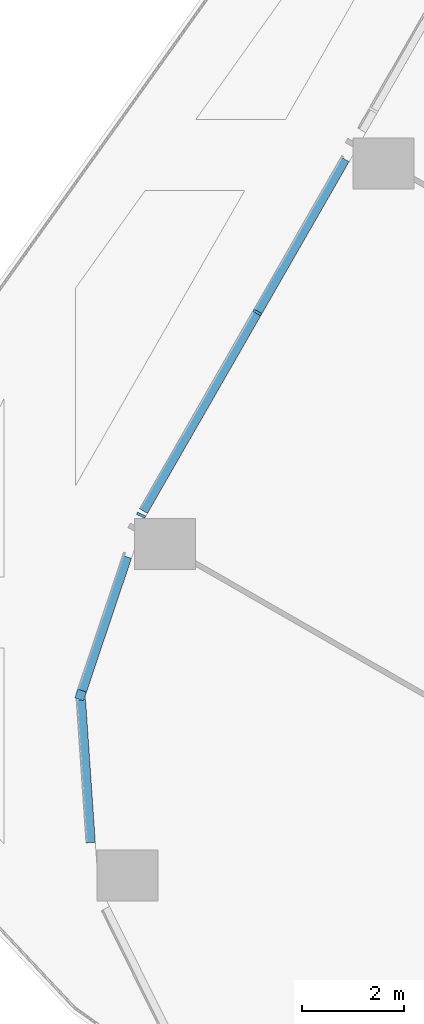
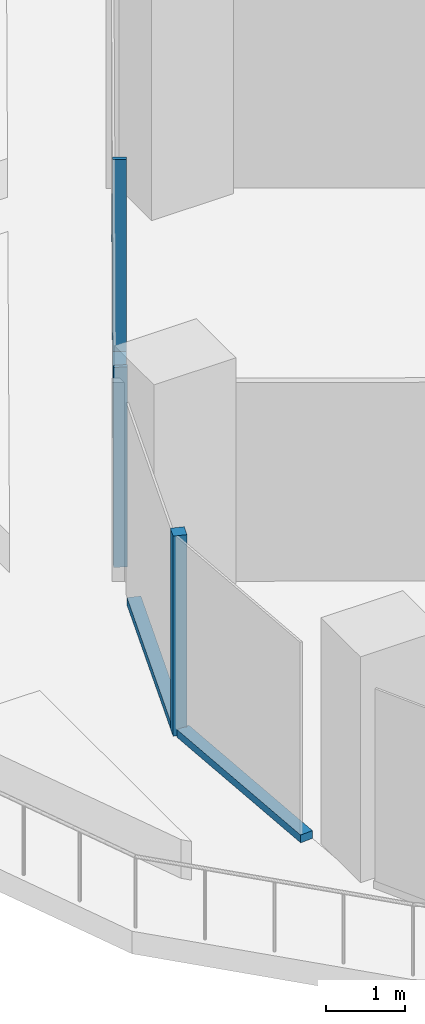
# One storey, part 3 of 34: 6 members, 3 elements without a shape of their own.
"""IFC4 building model written with IfcOpenShell, lengths in metres."""

from ifc_helpers import new_model, si_unit, direction, frame, origin, origin_2d, place, context, subcontext, project, spatial, rectangle, extrude, material, material_profile, profile_set, type_object, element, aggregate, save


model = new_model("IFC4")

# Units and contexts
model_context = context("Model", 3, precision=1e-05, world=origin(), true_north=direction((0.0, 1.0)))
body_context = subcontext(model_context, "Body", "Model", "MODEL_VIEW")
ifc_project = project(units=[si_unit("LENGTHUNIT", "METRE"), si_unit("AREAUNIT", "SQUARE_METRE"), si_unit("VOLUMEUNIT", "CUBIC_METRE"), si_unit("PLANEANGLEUNIT", "RADIAN"), si_unit("MASSUNIT", "GRAM", prefix="KILO")], contexts=[model_context])

# Site, building, storey
site_placement = place(None, origin())
site = spatial("IfcSite", under=ifc_project, at=site_placement, CompositionType="ELEMENT")
building_placement = place(site_placement, origin())
building = spatial("IfcBuilding", under=site, at=building_placement, Name="Orlundy Tower", CompositionType="ELEMENT")
storey_placement = place(building_placement, frame((0.0, 0.0, 102.199951171875)))
storey = spatial("IfcBuildingStorey", under=building, at=storey_placement, Name="L25", CompositionType="ELEMENT", Elevation=102.199951171875)

# Curtain wall, member
ifc_material_1 = material(Name="Aluminium bronze anodised", Category="aluminium")
curtain_wall_type = type_object("IfcCurtainWallType", Name="CW1 wall", PredefinedType="NOTDEFINED", material=ifc_material_1)
curtain_wall_1_placement = place(storey_placement, origin())
curtain_wall_1 = element("IfcCurtainWall", 1, at=curtain_wall_1_placement, inside=storey, type_object=curtain_wall_type, Name="CW1 run 011", PredefinedType="NOTDEFINED")
ifc_material_2 = material(Name="Aluminium bronze anodised", Category="aluminium")
ifc_material_profile_1 = material_profile(ifc_material_2, rectangle(XDim=0.179931640625, YDim=0.179931640625, at=origin_2d()), Name="CW1 corner post 180x180")
ifc_profile_set_1 = profile_set([ifc_material_profile_1], Name="Aluminium bronze anodised")
member_type_1 = type_object("IfcMemberType", Name="CW1 corner post 180x180", PredefinedType="MULLION", material=ifc_profile_set_1)
member_1_placement = place(storey_placement, frame((-43.49609375, -36.92626953125, 0.0), z_axis=(0.0, 0.0, 1.0), x_axis=(-0.947816641566, 0.318815956268, 0.0)))
member_1 = element("IfcMember", 2, at=member_1_placement, type_object=member_type_1, Name="CW1 mullion 25", PredefinedType="MULLION", context=body_context, shape_type="SweptSolid", body=[
    extrude(rectangle(XDim=0.179931640625, YDim=0.179931640625, at=origin_2d()), origin(), (0.0, 0.0, 1.0), 3.10009765625),
])

# Curtain wall, members
curtain_wall_2_placement = place(storey_placement, origin())
curtain_wall_2 = element("IfcCurtainWall", 3, at=curtain_wall_2_placement, inside=storey, type_object=curtain_wall_type, Name="CW1 run 012", PredefinedType="NOTDEFINED")
ifc_material_3 = material(Name="Aluminium bronze anodised", Category="aluminium")
ifc_material_profile_2 = material_profile(ifc_material_3, rectangle(XDim=0.179931640625, YDim=0.050048828125, at=origin_2d()), Name="CW1 mullion 50x180")
ifc_profile_set_2 = profile_set([ifc_material_profile_2], Name="Aluminium bronze anodised")
member_type_2 = type_object("IfcMemberType", Name="CW1 mullion 50x180", PredefinedType="MULLION", material=ifc_profile_set_2)
member_2_placement = place(storey_placement, frame((-42.305419921875, -33.386962890625, 0.0), z_axis=(0.0, 0.0, 1.0), x_axis=(-0.912034315786, 0.410113894948, 0.0)))
member_2 = element("IfcMember", 4, at=member_2_placement, type_object=member_type_2, Name="CW1 mullion 26", PredefinedType="MULLION", context=body_context, shape_type="SweptSolid", body=[
    extrude(rectangle(XDim=0.179931640625, YDim=0.050048828125, at=origin_2d()), origin(), (0.0, 0.0, 1.0), 3.10009765625),
])
member_3_placement = place(storey_placement, frame((-40.018310546875, -29.398681640625, 0.0), z_axis=(0.0, 0.0, 1.0), x_axis=(-0.867482152182, 0.497468306172, 0.0)))
member_3 = element("IfcMember", 5, at=member_3_placement, type_object=member_type_2, Name="CW1 mullion 27", PredefinedType="MULLION", context=body_context, shape_type="SweptSolid", body=[
    extrude(rectangle(XDim=0.179931640625, YDim=0.050048828125, at=origin_2d()), origin(), (0.0, 0.0, 1.0), 3.10009765625),
])

# Curtain wall, member
curtain_wall_3_placement = place(storey_placement, origin())
curtain_wall_3 = element("IfcCurtainWall", 6, at=curtain_wall_3_placement, inside=storey, type_object=curtain_wall_type, Name="CW1 run 010", PredefinedType="NOTDEFINED")
ifc_material_4 = material(Name="Aluminium bronze anodised", Category="aluminium")
ifc_material_profile_3 = material_profile(ifc_material_4, rectangle(XDim=0.179931640625, YDim=0.1201171875, at=origin_2d()), Name="CW1 transom 180x120")
ifc_profile_set_3 = profile_set([ifc_material_profile_3], Name="Aluminium bronze anodised")
member_type_3 = type_object("IfcMemberType", Name="CW1 transom 180x120", PredefinedType="USERDEFINED", material=ifc_profile_set_3)
member_4_placement = place(storey_placement, frame((-43.29736328125, -39.8291015625, 0.06005859375), z_axis=(-0.068235990072, 0.997669208535, 0.0), x_axis=(-0.997669208535, -0.068235990072, 0.0)))
member_4 = element("IfcMember", 7, at=member_4_placement, type_object=member_type_3, Name="CW1 transom", ObjectType="TRANSOM", PredefinedType="USERDEFINED", context=body_context, shape_type="SweptSolid", body=[
    extrude(rectangle(XDim=0.179931640625, YDim=0.1201171875, at=origin_2d()), origin(), (0.0, 0.0, 1.0), 2.812255859375),
])
aggregate(curtain_wall_3, [member_4])

# Member
member_5_placement = place(storey_placement, frame((-43.46728515625, -36.841064453125, 0.06005859375), z_axis=(0.318784984318, 0.947827059, 0.0), x_axis=(-0.947827059, 0.318784984318, 0.0)))
member_5 = element("IfcMember", 8, at=member_5_placement, type_object=member_type_3, Name="CW1 transom", ObjectType="TRANSOM", PredefinedType="USERDEFINED", context=body_context, shape_type="SweptSolid", body=[
    extrude(rectangle(XDim=0.179931640625, YDim=0.1201171875, at=origin_2d()), origin(), (0.0, 0.0, 1.0), 2.77685546875),
])

aggregate(curtain_wall_1, [member_1, member_5])

member_6_placement = place(storey_placement, frame((-42.259033203125, -33.305908203125, 0.06005859375), z_axis=(0.497466731285, 0.867483055318, 0.0), x_axis=(-0.867483055318, 0.497466731285, 0.0)))
member_6 = element("IfcMember", 9, at=member_6_placement, type_object=member_type_3, Name="CW1 transom", ObjectType="TRANSOM", PredefinedType="USERDEFINED", context=body_context, shape_type="SweptSolid", body=[
    extrude(rectangle(XDim=0.179931640625, YDim=0.1201171875, at=origin_2d()), origin(), (0.0, 0.0, 1.0), 7.9765625),
])

aggregate(curtain_wall_2, [member_2, member_3, member_6])

save(model, "model.ifc")
